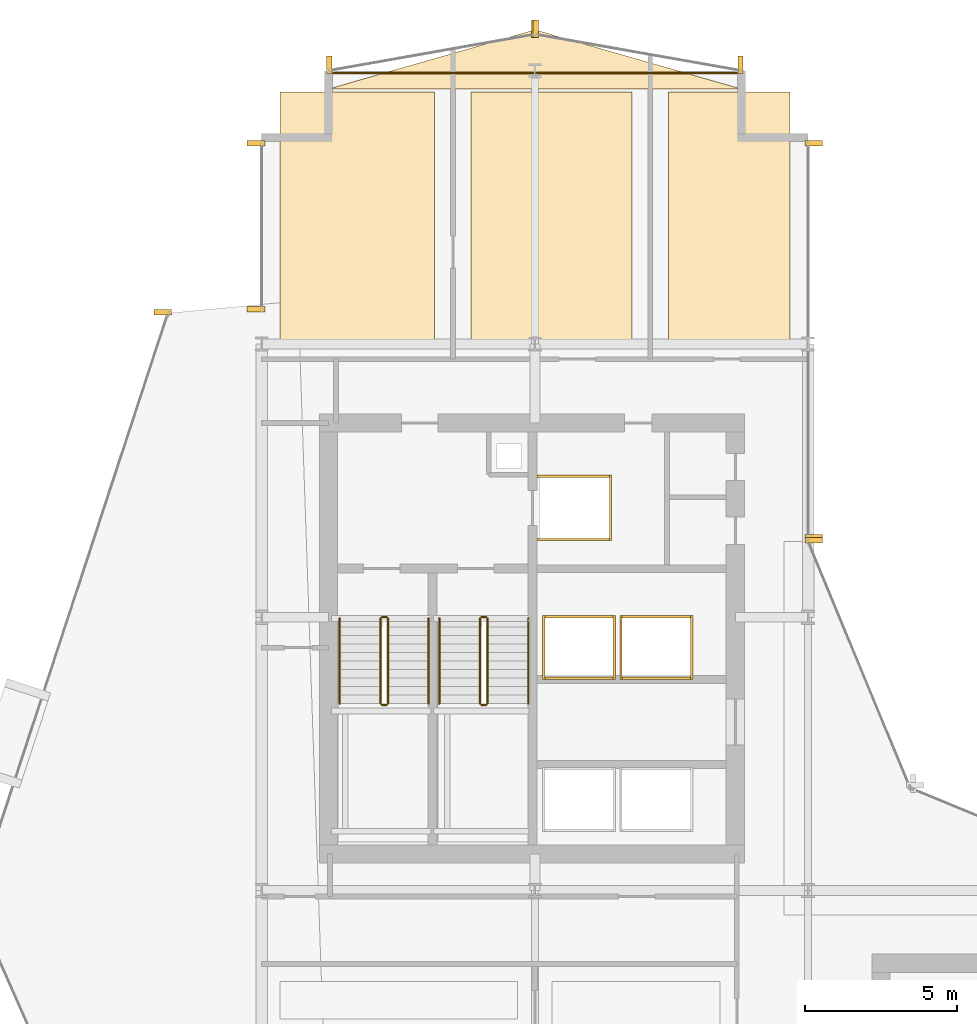
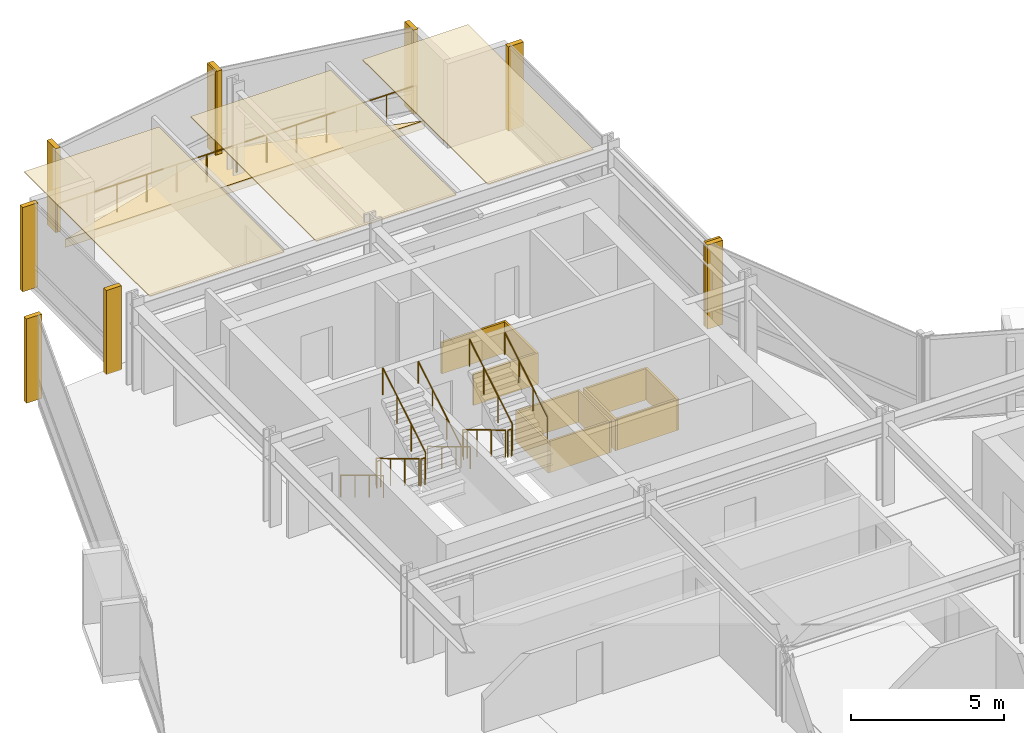
# One storey, part 34 of 35: 25 coverings, 13 railings.
"""IFC4 building model written with IfcOpenShell, lengths in metres."""

from ifc_helpers import new_model, si_unit, direction, frame, origin, origin_2d, place, context, subcontext, project, spatial, polyline, rectangle, circle, outline, extrude, material, layer, layer_set, type_object, element, save


model = new_model("IFC4")

# Units and contexts
model_context = context("Model", 3, precision=1e-05, world=origin(), true_north=direction((0.0, 1.0)))
body_context = subcontext(model_context, "Body", "Model", "MODEL_VIEW")
ifc_project = project(units=[si_unit("LENGTHUNIT", "METRE"), si_unit("AREAUNIT", "SQUARE_METRE"), si_unit("VOLUMEUNIT", "CUBIC_METRE"), si_unit("PLANEANGLEUNIT", "RADIAN"), si_unit("MASSUNIT", "GRAM", prefix="KILO")], contexts=[model_context])

# Site, building, storey
site_placement = place(None, origin())
site = spatial("IfcSite", under=ifc_project, at=site_placement, CompositionType="ELEMENT")
building_placement = place(site_placement, origin())
building = spatial("IfcBuilding", under=site, at=building_placement, Name="Solvaryn Broadcast Tower", CompositionType="ELEMENT")
storey_placement = place(building_placement, frame((0.0, 0.0, 80.39990234375)))
storey = spatial("IfcBuildingStorey", under=building, at=storey_placement, Name="L19", CompositionType="ELEMENT", Elevation=80.39990234375)

# Coverings
ifc_material_1 = material(Name="Micro-Perforated Acoustic Gypsum Ceiling", Category="concrete")
ifc_layer_1 = layer(ifc_material_1, 0.0400390625)
ifc_layer_set_1 = layer_set([ifc_layer_1], Name="CV-CEIL-ACOUSTIC")
covering_type_1 = type_object("IfcCoveringType", Name="CV-CEIL-ACOUSTIC", PredefinedType="CEILING", material=ifc_layer_set_1)
covering_1_placement = place(storey_placement, frame((0.0, 0.0, 3.330078125)))
element("IfcCovering", 1, at=covering_1_placement, inside=storey, type_object=covering_type_1, Name="L19 Room Acoustic Ceiling 7", PredefinedType="CEILING", context=body_context, shape_type="SweptSolid", body=[
    extrude(outline(polyline([(9.60009765625, 45.070068359375), (14.699951171875, 45.070068359375), (14.699951171875, 53.300048828125), (9.60009765625, 53.300048828125), (9.60009765625, 45.070068359375)])), origin(), (0.0, 0.0, 1.0), 0.0400390625),
])
covering_2_placement = place(storey_placement, frame((0.0, 0.0, 3.330078125)))
element("IfcCovering", 2, at=covering_2_placement, inside=storey, type_object=covering_type_1, Name="L19 Room Acoustic Ceiling 8", PredefinedType="CEILING", context=body_context, shape_type="SweptSolid", body=[
    extrude(outline(polyline([(15.89990234375, 45.070068359375), (21.199951171875, 45.070068359375), (21.199951171875, 53.300048828125), (15.89990234375, 53.300048828125), (15.89990234375, 45.070068359375)])), origin(), (0.0, 0.0, 1.0), 0.0400390625),
])
covering_3_placement = place(storey_placement, frame((0.0, 0.0, 3.330078125)))
element("IfcCovering", 3, at=covering_3_placement, inside=storey, type_object=covering_type_1, Name="L19 Room Acoustic Ceiling 9", PredefinedType="CEILING", context=body_context, shape_type="SweptSolid", body=[
    extrude(outline(polyline([(22.39990234375, 45.070068359375), (26.39990234375, 45.070068359375), (26.39990234375, 53.300048828125), (22.39990234375, 53.300048828125), (22.39990234375, 45.070068359375)])), origin(), (0.0, 0.0, 1.0), 0.0400390625),
])
ifc_material_2 = material(Name="Fire-Rated Gypsum Shaftwall Liner", Category="concrete")
ifc_layer_2 = layer(ifc_material_2, 0.080078125)
ifc_layer_set_2 = layer_set([ifc_layer_2], Name="CV-SHAFT-LINER")
covering_type_2 = type_object("IfcCoveringType", Name="CV-SHAFT-LINER", PredefinedType="CLADDING", material=ifc_layer_set_2)
for number, where, z_axis, x_axis, name in (
    (4, (19.300048828125, 40.639892578125, 0.0), (0.0, 0.0, 1.0), (1.0, 0.0, 0.0), "L19 FL1 Hoistway Shaft Liner North"),
    (5, (19.300048828125, 38.56005859375, 0.0), (0.0, 0.0, 1.0), (1.0, 0.0, 0.0), "L19 FL1 Hoistway Shaft Liner South"),
):
    element("IfcCovering", number, at=place(storey_placement, frame(where, z_axis=z_axis, x_axis=x_axis)), inside=storey, type_object=covering_type_2, Name=name, PredefinedType="CLADDING", context=body_context, shape_type="SweptSolid", body=[
        extrude(rectangle(XDim=2.4599609375, YDim=0.080078125, at=origin_2d()), origin(), (0.0, 0.0, 1.0), 1.25),
    ])
covering_4_placement = place(storey_placement, frame((20.489990234375, 39.60009765625, 0.0), z_axis=(0.0, 0.0, 1.0), x_axis=(1.0, 0.0, 0.0)))
element("IfcCovering", 6, at=covering_4_placement, inside=storey, type_object=covering_type_2, Name="L19 FL1 Hoistway Shaft Liner East", PredefinedType="CLADDING", context=body_context, shape_type="SweptSolid", body=[
    extrude(rectangle(XDim=0.080078125, YDim=2.159912109375, at=origin_2d()), origin(), (0.0, 0.0, 1.0), 1.25),
])
for number, where, z_axis, x_axis, name in (
    (7, (19.449951171875, 36.014892578125, 0.0), (0.0, 0.0, 1.0), (1.0, 0.0, 0.0), "L19 PH3 Hoistway Shaft Liner North"),
    (8, (19.449951171875, 33.985107421875, 0.0), (0.0, 0.0, 1.0), (1.0, 0.0, 0.0), "L19 PH3 Hoistway Shaft Liner South"),
):
    element("IfcCovering", number, at=place(storey_placement, frame(where, z_axis=z_axis, x_axis=x_axis)), inside=storey, type_object=covering_type_2, Name=name, PredefinedType="CLADDING", context=body_context, shape_type="SweptSolid", body=[
        extrude(rectangle(XDim=2.409912109375, YDim=0.080078125, at=origin_2d()), origin(), (0.0, 0.0, 1.0), 1.25),
    ])
for number, where, z_axis, x_axis, name in (
    (9, (20.614990234375, 35.0, 0.0), (0.0, 0.0, 1.0), (1.0, 0.0, 0.0), "L19 PH3 Hoistway Shaft Liner East"),
    (10, (18.284912109375, 35.0, 0.0), (0.0, 0.0, 1.0), (1.0, 0.0, 0.0), "L19 PH3 Hoistway Shaft Liner West"),
):
    element("IfcCovering", number, at=place(storey_placement, frame(where, z_axis=z_axis, x_axis=x_axis)), inside=storey, type_object=covering_type_2, Name=name, PredefinedType="CLADDING", context=body_context, shape_type="SweptSolid", body=[
        extrude(rectangle(XDim=0.080078125, YDim=2.110107421875, at=origin_2d()), origin(), (0.0, 0.0, 1.0), 1.25),
    ])
for number, where, z_axis, x_axis, name in (
    (11, (22.0, 36.014892578125, 0.0), (0.0, 0.0, 1.0), (1.0, 0.0, 0.0), "L19 PH4 Hoistway Shaft Liner North"),
    (12, (22.0, 33.985107421875, 0.0), (0.0, 0.0, 1.0), (1.0, 0.0, 0.0), "L19 PH4 Hoistway Shaft Liner South"),
):
    element("IfcCovering", number, at=place(storey_placement, frame(where, z_axis=z_axis, x_axis=x_axis)), inside=storey, type_object=covering_type_2, Name=name, PredefinedType="CLADDING", context=body_context, shape_type="SweptSolid", body=[
        extrude(rectangle(XDim=2.409912109375, YDim=0.080078125, at=origin_2d()), origin(), (0.0, 0.0, 1.0), 1.25),
    ])
for number, where, z_axis, x_axis, name in (
    (13, (23.1650390625, 35.0, 0.0), (0.0, 0.0, 1.0), (1.0, 0.0, 0.0), "L19 PH4 Hoistway Shaft Liner East"),
    (14, (20.8349609375, 35.0, 0.0), (0.0, 0.0, 1.0), (1.0, 0.0, 0.0), "L19 PH4 Hoistway Shaft Liner West"),
):
    element("IfcCovering", number, at=place(storey_placement, frame(where, z_axis=z_axis, x_axis=x_axis)), inside=storey, type_object=covering_type_2, Name=name, PredefinedType="CLADDING", context=body_context, shape_type="SweptSolid", body=[
        extrude(rectangle(XDim=0.080078125, YDim=2.110107421875, at=origin_2d()), origin(), (0.0, 0.0, 1.0), 1.25),
    ])
ifc_material_3 = material(Name="Extruded Architectural Terracotta Fin", Category="masonry")
ifc_layer_3 = layer(ifc_material_3, 0.179931640625)
ifc_layer_set_3 = layer_set([ifc_layer_3], Name="CV-TC-FIN")
covering_type_3 = type_object("IfcCoveringType", Name="CV-TC-FIN", PredefinedType="USERDEFINED", material=ifc_layer_set_3)
for number, where, z_axis, x_axis, name in (
    (15, (5.735595703125, 46.043701171875, 0.0), (0.0, 0.0, 1.0), (1.0, 0.0, 0.0), "L19 Terracotta Vertical Fin FIN-L19-DR1-M00"),
    (16, (8.8125, 46.14599609375, 0.0), (0.0, 0.0, 1.0), (1.0, 0.0, 0.0), "L19 Terracotta Vertical Fin FIN-L19-W2-M00"),
    (17, (8.8125, 51.6201171875, 0.0), (0.0, 0.0, 1.0), (1.0, 0.0, 0.0), "L19 Terracotta Vertical Fin FIN-L19-W2-M01"),
    (18, (27.1875, 51.6201171875, 0.0), (0.0, 0.0, 1.0), (1.0, 0.0, 0.0), "L19 Terracotta Vertical Fin FIN-L19-IV-M00"),
    (19, (27.1875, 38.6298828125, 0.0), (0.0, 0.0, 1.0), (1.0, 0.0, 0.0), "L19 Terracotta Vertical Fin FIN-L19-IV-M01"),
    (20, (27.177978515625, 38.541259765625, 0.0), (0.0, 0.0, 1.0), (1.0, 0.0, 0.0), "L19 Terracotta Vertical Fin FIN-L19-CN2-M01"),
):
    element("IfcCovering", number, at=place(storey_placement, frame(where, z_axis=z_axis, x_axis=x_axis)), inside=storey, type_object=covering_type_3, Name=name, ObjectType="FIN", PredefinedType="USERDEFINED", context=body_context, shape_type="SweptSolid", body=[
        extrude(rectangle(XDim=0.580078125, YDim=0.179931640625, at=origin_2d()), origin(), (0.0, 0.0, 1.0), 3.3701171875),
    ])
for number, where, z_axis, x_axis, name in (
    (21, (24.7705078125, 54.192626953125, 0.0), (0.0, 0.0, 1.0), (1.0, 0.0, 0.0), "L19 Terracotta Vertical Fin FIN-L19-NT1-M00"),
    (22, (18.029541015625, 55.38232421875, 0.0), (0.0, 0.0, 1.0), (1.0, 0.0, 0.0), "L19 Terracotta Vertical Fin FIN-L19-NT1-M01"),
    (23, (17.970458984375, 55.38232421875, 0.0), (0.0, 0.0, 1.0), (1.0, 0.0, 0.0), "L19 Terracotta Vertical Fin FIN-L19-NT2-M00"),
    (24, (11.2294921875, 54.192626953125, 0.0), (0.0, 0.0, 1.0), (1.0, 0.0, 0.0), "L19 Terracotta Vertical Fin FIN-L19-NT2-M01"),
):
    element("IfcCovering", number, at=place(storey_placement, frame(where, z_axis=z_axis, x_axis=x_axis)), inside=storey, type_object=covering_type_3, Name=name, ObjectType="FIN", PredefinedType="USERDEFINED", context=body_context, shape_type="SweptSolid", body=[
        extrude(rectangle(XDim=0.179931640625, YDim=0.580078125, at=origin_2d()), origin(), (0.0, 0.0, 1.0), 3.3701171875),
    ])
ifc_material_4 = material(Name="Sculpted Architectural Terracotta Wave Fascia", Category="masonry")
ifc_layer_4 = layer(ifc_material_4, 0.340087890625)
ifc_layer_set_4 = layer_set([ifc_layer_4], Name="CV-WAVE-TRAY")
covering_type_4 = type_object("IfcCoveringType", Name="CV-WAVE-TRAY", PredefinedType="CLADDING", material=ifc_layer_set_4)
covering_5_placement = place(storey_placement, frame((0.0, 0.0, -0.2998046875)))
element("IfcCovering", 25, at=covering_5_placement, inside=storey, type_object=covering_type_4, Name="L19 North Curved Wing Deck", PredefinedType="CLADDING", context=body_context, shape_type="SweptSolid", body=[
    extrude(outline(polyline([(11.199951171875, 53.39990234375), (24.800048828125, 53.39990234375), (18.0, 55.35009765625), (11.199951171875, 53.39990234375)])), origin(), (0.0, 0.0, 1.0), 0.329833984375),
])

# Railings
ifc_material_5 = material(Name="Painted Steel Stair Well Guard", Category="steel")
railing_type_1 = type_object("IfcRailingType", Name="RL-STAIR-GUARD", PredefinedType="BALUSTRADE", material=ifc_material_5)
railing_1_placement = place(storey_placement, frame((12.909912109375, 35.9599609375, 0.168212890625)))
element("IfcRailing", 26, at=railing_1_placement, inside=storey, type_object=railing_type_1, Name="L19 ST1 stair guard 1", PredefinedType="BALUSTRADE", context=body_context, shape_type="SweptSolid", body=[
    extrude(circle(Radius=0.02392578125, at=origin_2d()), frame((0.0, 0.0, 1.076171875), z_axis=(0.0, -0.857242210791, 0.514913383045), x_axis=(1.0, 0.0, 0.0)), (0.0, 0.0, 1.0), 3.266357421875),
    extrude(circle(Radius=0.02099609375, at=origin_2d()), origin(), (0.0, 0.0, 1.0), 1.052001953125),
    extrude(circle(Radius=0.02099609375, at=origin_2d()), frame((0.0, -0.933349609375, 0.560546875)), (0.0, 0.0, 1.0), 1.052001953125),
    extrude(circle(Radius=0.02099609375, at=origin_2d()), frame((0.0, -1.86669921875, 1.121337890625)), (0.0, 0.0, 1.0), 1.052001953125),
    extrude(circle(Radius=0.02099609375, at=origin_2d()), frame((0.0, -2.800048828125, 1.681884765625)), (0.0, 0.0, 1.0), 1.052001953125),
])
railing_2_placement = place(storey_placement, frame((12.9599609375, 33.110107421875, 1.85009765625)))
element("IfcRailing", 27, at=railing_2_placement, inside=storey, type_object=railing_type_1, Name="L19 ST1 stair guard 2", PredefinedType="BALUSTRADE", context=body_context, shape_type="SweptSolid", body=[
    extrude(circle(Radius=0.02392578125, at=origin_2d()), frame((0.0, 0.0, 1.076171875), z_axis=(1.0, 0.0, 0.0), x_axis=(0.0, 1.0, 0.0)), (0.0, 0.0, 1.0), 0.150146484375),
    extrude(circle(Radius=0.02099609375, at=origin_2d()), origin(), (0.0, 0.0, 1.0), 1.052001953125),
    extrude(circle(Radius=0.02099609375, at=origin_2d()), frame((0.150146484375, 0.0, 0.0)), (0.0, 0.0, 1.0), 1.052001953125),
])
railing_3_placement = place(storey_placement, frame((13.159912109375, 33.159912109375, 2.018310546875)))
element("IfcRailing", 28, at=railing_3_placement, inside=storey, type_object=railing_type_1, Name="L19 ST1 stair guard 3", PredefinedType="BALUSTRADE", context=body_context, shape_type="SweptSolid", body=[
    extrude(circle(Radius=0.02392578125, at=origin_2d()), frame((0.0, 0.0, 1.076171875), z_axis=(0.0, 0.857242210791, 0.514913383045), x_axis=(-1.0, 0.0, 0.0)), (0.0, 0.0, 1.0), 3.266357421875),
    extrude(circle(Radius=0.02099609375, at=origin_2d()), origin(), (0.0, 0.0, 1.0), 1.052001953125),
    extrude(circle(Radius=0.02099609375, at=origin_2d()), frame((0.0, 0.933349609375, 0.560546875)), (0.0, 0.0, 1.0), 1.052001953125),
    extrude(circle(Radius=0.02099609375, at=origin_2d()), frame((0.0, 1.86669921875, 1.121337890625)), (0.0, 0.0, 1.0), 1.052001953125),
    extrude(circle(Radius=0.02099609375, at=origin_2d()), frame((0.0, 2.800048828125, 1.681884765625)), (0.0, 0.0, 1.0), 1.052001953125),
])
railing_4_placement = place(storey_placement, frame((12.9599609375, 36.010009765625, 0.0)))
element("IfcRailing", 29, at=railing_4_placement, inside=storey, type_object=railing_type_1, Name="L19 ST1 stair guard 4", PredefinedType="BALUSTRADE", context=body_context, shape_type="SweptSolid", body=[
    extrude(circle(Radius=0.02392578125, at=origin_2d()), frame((0.0, 0.0, 1.076171875), z_axis=(1.0, 0.0, 0.0), x_axis=(0.0, 1.0, 0.0)), (0.0, 0.0, 1.0), 0.150146484375),
    extrude(circle(Radius=0.02099609375, at=origin_2d()), origin(), (0.0, 0.0, 1.0), 1.052001953125),
    extrude(circle(Radius=0.02099609375, at=origin_2d()), frame((0.150146484375, 0.0, 0.0)), (0.0, 0.0, 1.0), 1.052001953125),
])
railing_5_placement = place(storey_placement, frame((16.18994140625, 35.9599609375, 0.168212890625)))
element("IfcRailing", 30, at=railing_5_placement, inside=storey, type_object=railing_type_1, Name="L19 ST2 stair guard 1", PredefinedType="BALUSTRADE", context=body_context, shape_type="SweptSolid", body=[
    extrude(circle(Radius=0.02392578125, at=origin_2d()), frame((0.0, 0.0, 1.076171875), z_axis=(0.0, -0.857242210791, 0.514913383045), x_axis=(1.0, 0.0, 0.0)), (0.0, 0.0, 1.0), 3.266357421875),
    extrude(circle(Radius=0.02099609375, at=origin_2d()), origin(), (0.0, 0.0, 1.0), 1.052001953125),
    extrude(circle(Radius=0.02099609375, at=origin_2d()), frame((0.0, -0.933349609375, 0.560546875)), (0.0, 0.0, 1.0), 1.052001953125),
    extrude(circle(Radius=0.02099609375, at=origin_2d()), frame((0.0, -1.86669921875, 1.121337890625)), (0.0, 0.0, 1.0), 1.052001953125),
    extrude(circle(Radius=0.02099609375, at=origin_2d()), frame((0.0, -2.800048828125, 1.681884765625)), (0.0, 0.0, 1.0), 1.052001953125),
])
railing_6_placement = place(storey_placement, frame((16.239990234375, 33.110107421875, 1.85009765625)))
element("IfcRailing", 31, at=railing_6_placement, inside=storey, type_object=railing_type_1, Name="L19 ST2 stair guard 2", PredefinedType="BALUSTRADE", context=body_context, shape_type="SweptSolid", body=[
    extrude(circle(Radius=0.02392578125, at=origin_2d()), frame((0.0, 0.0, 1.076171875), z_axis=(1.0, 0.0, 0.0), x_axis=(0.0, 1.0, 0.0)), (0.0, 0.0, 1.0), 0.14990234375),
    extrude(circle(Radius=0.02099609375, at=origin_2d()), origin(), (0.0, 0.0, 1.0), 1.052001953125),
    extrude(circle(Radius=0.02099609375, at=origin_2d()), frame((0.14990234375, 0.0, 0.0)), (0.0, 0.0, 1.0), 1.052001953125),
])
railing_7_placement = place(storey_placement, frame((16.43994140625, 33.159912109375, 2.018310546875)))
element("IfcRailing", 32, at=railing_7_placement, inside=storey, type_object=railing_type_1, Name="L19 ST2 stair guard 3", PredefinedType="BALUSTRADE", context=body_context, shape_type="SweptSolid", body=[
    extrude(circle(Radius=0.02392578125, at=origin_2d()), frame((0.0, 0.0, 1.076171875), z_axis=(0.0, 0.857242210791, 0.514913383045), x_axis=(-1.0, 0.0, 0.0)), (0.0, 0.0, 1.0), 3.266357421875),
    extrude(circle(Radius=0.02099609375, at=origin_2d()), origin(), (0.0, 0.0, 1.0), 1.052001953125),
    extrude(circle(Radius=0.02099609375, at=origin_2d()), frame((0.0, 0.933349609375, 0.560546875)), (0.0, 0.0, 1.0), 1.052001953125),
    extrude(circle(Radius=0.02099609375, at=origin_2d()), frame((0.0, 1.86669921875, 1.121337890625)), (0.0, 0.0, 1.0), 1.052001953125),
    extrude(circle(Radius=0.02099609375, at=origin_2d()), frame((0.0, 2.800048828125, 1.681884765625)), (0.0, 0.0, 1.0), 1.052001953125),
])
railing_8_placement = place(storey_placement, frame((16.239990234375, 36.010009765625, 0.0)))
element("IfcRailing", 33, at=railing_8_placement, inside=storey, type_object=railing_type_1, Name="L19 ST2 stair guard 4", PredefinedType="BALUSTRADE", context=body_context, shape_type="SweptSolid", body=[
    extrude(circle(Radius=0.02392578125, at=origin_2d()), frame((0.0, 0.0, 1.076171875), z_axis=(1.0, 0.0, 0.0), x_axis=(0.0, 1.0, 0.0)), (0.0, 0.0, 1.0), 0.14990234375),
    extrude(circle(Radius=0.02099609375, at=origin_2d()), origin(), (0.0, 0.0, 1.0), 1.052001953125),
    extrude(circle(Radius=0.02099609375, at=origin_2d()), frame((0.14990234375, 0.0, 0.0)), (0.0, 0.0, 1.0), 1.052001953125),
])
ifc_material_6 = material(Name="Brushed Stainless Steel Tubular Handrail", Category="steel")
railing_type_2 = type_object("IfcRailingType", Name="RL-STAIR-HANDRAIL", PredefinedType="HANDRAIL", material=ifc_material_6)
railing_9_placement = place(storey_placement, frame((11.570068359375, 35.9599609375, 0.168212890625)))
element("IfcRailing", 34, at=railing_9_placement, inside=storey, type_object=railing_type_2, Name="L19 ST1 stair handrail 1", PredefinedType="HANDRAIL", context=body_context, shape_type="SweptSolid", body=[
    extrude(circle(Radius=0.02392578125, at=origin_2d()), frame((0.0, 0.0, 0.8759765625), z_axis=(0.0, -0.857242210791, 0.514913383045), x_axis=(1.0, 0.0, 0.0)), (0.0, 0.0, 1.0), 3.266357421875),
    extrude(circle(Radius=0.02099609375, at=origin_2d()), origin(), (0.0, 0.0, 1.0), 0.851806640625),
    extrude(circle(Radius=0.02099609375, at=origin_2d()), frame((0.0, -0.933349609375, 0.560546875)), (0.0, 0.0, 1.0), 0.851806640625),
    extrude(circle(Radius=0.02099609375, at=origin_2d()), frame((0.0, -1.86669921875, 1.121337890625)), (0.0, 0.0, 1.0), 0.851806640625),
    extrude(circle(Radius=0.02099609375, at=origin_2d()), frame((0.0, -2.800048828125, 1.681884765625)), (0.0, 0.0, 1.0), 0.851806640625),
])
railing_10_placement = place(storey_placement, frame((14.5, 33.159912109375, 2.018310546875)))
element("IfcRailing", 35, at=railing_10_placement, inside=storey, type_object=railing_type_2, Name="L19 ST1 stair handrail 2", PredefinedType="HANDRAIL", context=body_context, shape_type="SweptSolid", body=[
    extrude(circle(Radius=0.02392578125, at=origin_2d()), frame((0.0, 0.0, 0.8759765625), z_axis=(0.0, 0.857242210791, 0.514913383045), x_axis=(-1.0, 0.0, 0.0)), (0.0, 0.0, 1.0), 3.266357421875),
    extrude(circle(Radius=0.02099609375, at=origin_2d()), origin(), (0.0, 0.0, 1.0), 0.851806640625),
    extrude(circle(Radius=0.02099609375, at=origin_2d()), frame((0.0, 0.933349609375, 0.560546875)), (0.0, 0.0, 1.0), 0.851806640625),
    extrude(circle(Radius=0.02099609375, at=origin_2d()), frame((0.0, 1.86669921875, 1.121337890625)), (0.0, 0.0, 1.0), 0.851806640625),
    extrude(circle(Radius=0.02099609375, at=origin_2d()), frame((0.0, 2.800048828125, 1.681884765625)), (0.0, 0.0, 1.0), 0.851806640625),
])
railing_11_placement = place(storey_placement, frame((14.85009765625, 35.9599609375, 0.168212890625)))
element("IfcRailing", 36, at=railing_11_placement, inside=storey, type_object=railing_type_2, Name="L19 ST2 stair handrail 1", PredefinedType="HANDRAIL", context=body_context, shape_type="SweptSolid", body=[
    extrude(circle(Radius=0.02392578125, at=origin_2d()), frame((0.0, 0.0, 0.8759765625), z_axis=(0.0, -0.857242210791, 0.514913383045), x_axis=(1.0, 0.0, 0.0)), (0.0, 0.0, 1.0), 3.266357421875),
    extrude(circle(Radius=0.02099609375, at=origin_2d()), origin(), (0.0, 0.0, 1.0), 0.851806640625),
    extrude(circle(Radius=0.02099609375, at=origin_2d()), frame((0.0, -0.933349609375, 0.560546875)), (0.0, 0.0, 1.0), 0.851806640625),
    extrude(circle(Radius=0.02099609375, at=origin_2d()), frame((0.0, -1.86669921875, 1.121337890625)), (0.0, 0.0, 1.0), 0.851806640625),
    extrude(circle(Radius=0.02099609375, at=origin_2d()), frame((0.0, -2.800048828125, 1.681884765625)), (0.0, 0.0, 1.0), 0.851806640625),
])
railing_12_placement = place(storey_placement, frame((17.780029296875, 33.159912109375, 2.018310546875)))
element("IfcRailing", 37, at=railing_12_placement, inside=storey, type_object=railing_type_2, Name="L19 ST2 stair handrail 2", PredefinedType="HANDRAIL", context=body_context, shape_type="SweptSolid", body=[
    extrude(circle(Radius=0.02392578125, at=origin_2d()), frame((0.0, 0.0, 0.8759765625), z_axis=(0.0, 0.857242210791, 0.514913383045), x_axis=(-1.0, 0.0, 0.0)), (0.0, 0.0, 1.0), 3.266357421875),
    extrude(circle(Radius=0.02099609375, at=origin_2d()), origin(), (0.0, 0.0, 1.0), 0.851806640625),
    extrude(circle(Radius=0.02099609375, at=origin_2d()), frame((0.0, 0.933349609375, 0.560546875)), (0.0, 0.0, 1.0), 0.851806640625),
    extrude(circle(Radius=0.02099609375, at=origin_2d()), frame((0.0, 1.86669921875, 1.121337890625)), (0.0, 0.0, 1.0), 0.851806640625),
    extrude(circle(Radius=0.02099609375, at=origin_2d()), frame((0.0, 2.800048828125, 1.681884765625)), (0.0, 0.0, 1.0), 0.851806640625),
])
ifc_material_7 = material(Name="Stainless Steel and Laminated Glass Guard", Category="steel")
railing_type_3 = type_object("IfcRailingType", Name="RL-TER-1150", PredefinedType="BALUSTRADE", material=ifc_material_7)
railing_13_placement = place(storey_placement, frame((11.199951171875, 53.919921875, 0.0)))
element("IfcRailing", 38, at=railing_13_placement, inside=storey, type_object=railing_type_3, Name="L19 North Wing Spandrel Edge Guard", PredefinedType="BALUSTRADE", context=body_context, shape_type="SweptSolid", body=[
    extrude(circle(Radius=0.02392578125, at=origin_2d()), frame((0.0, 0.0, 1.1259765625), z_axis=(1.0, 0.0, 0.0), x_axis=(0.0, 1.0, 0.0)), (0.0, 0.0, 1.0), 13.60009765625),
    extrude(circle(Radius=0.02099609375, at=origin_2d()), origin(), (0.0, 0.0, 1.0), 1.101806640625),
    extrude(circle(Radius=0.02099609375, at=origin_2d()), frame((1.13330078125, 0.0, 0.0)), (0.0, 0.0, 1.0), 1.101806640625),
    extrude(circle(Radius=0.02099609375, at=origin_2d()), frame((2.2666015625, 0.0, 0.0)), (0.0, 0.0, 1.0), 1.101806640625),
    extrude(circle(Radius=0.02099609375, at=origin_2d()), frame((3.39990234375, 0.0, 0.0)), (0.0, 0.0, 1.0), 1.101806640625),
    extrude(circle(Radius=0.02099609375, at=origin_2d()), frame((4.533447265625, 0.0, 0.0)), (0.0, 0.0, 1.0), 1.101806640625),
    extrude(circle(Radius=0.02099609375, at=origin_2d()), frame((5.666748046875, 0.0, 0.0)), (0.0, 0.0, 1.0), 1.101806640625),
    extrude(circle(Radius=0.02099609375, at=origin_2d()), frame((6.800048828125, 0.0, 0.0)), (0.0, 0.0, 1.0), 1.101806640625),
    extrude(circle(Radius=0.02099609375, at=origin_2d()), frame((7.933349609375, 0.0, 0.0)), (0.0, 0.0, 1.0), 1.101806640625),
    extrude(circle(Radius=0.02099609375, at=origin_2d()), frame((9.066650390625, 0.0, 0.0)), (0.0, 0.0, 1.0), 1.101806640625),
    extrude(circle(Radius=0.02099609375, at=origin_2d()), frame((10.2001953125, 0.0, 0.0)), (0.0, 0.0, 1.0), 1.101806640625),
    extrude(circle(Radius=0.02099609375, at=origin_2d()), frame((11.33349609375, 0.0, 0.0)), (0.0, 0.0, 1.0), 1.101806640625),
    extrude(circle(Radius=0.02099609375, at=origin_2d()), frame((12.466796875, 0.0, 0.0)), (0.0, 0.0, 1.0), 1.101806640625),
    extrude(circle(Radius=0.02099609375, at=origin_2d()), frame((13.60009765625, 0.0, 0.0)), (0.0, 0.0, 1.0), 1.101806640625),
])

save(model, "model.ifc")
